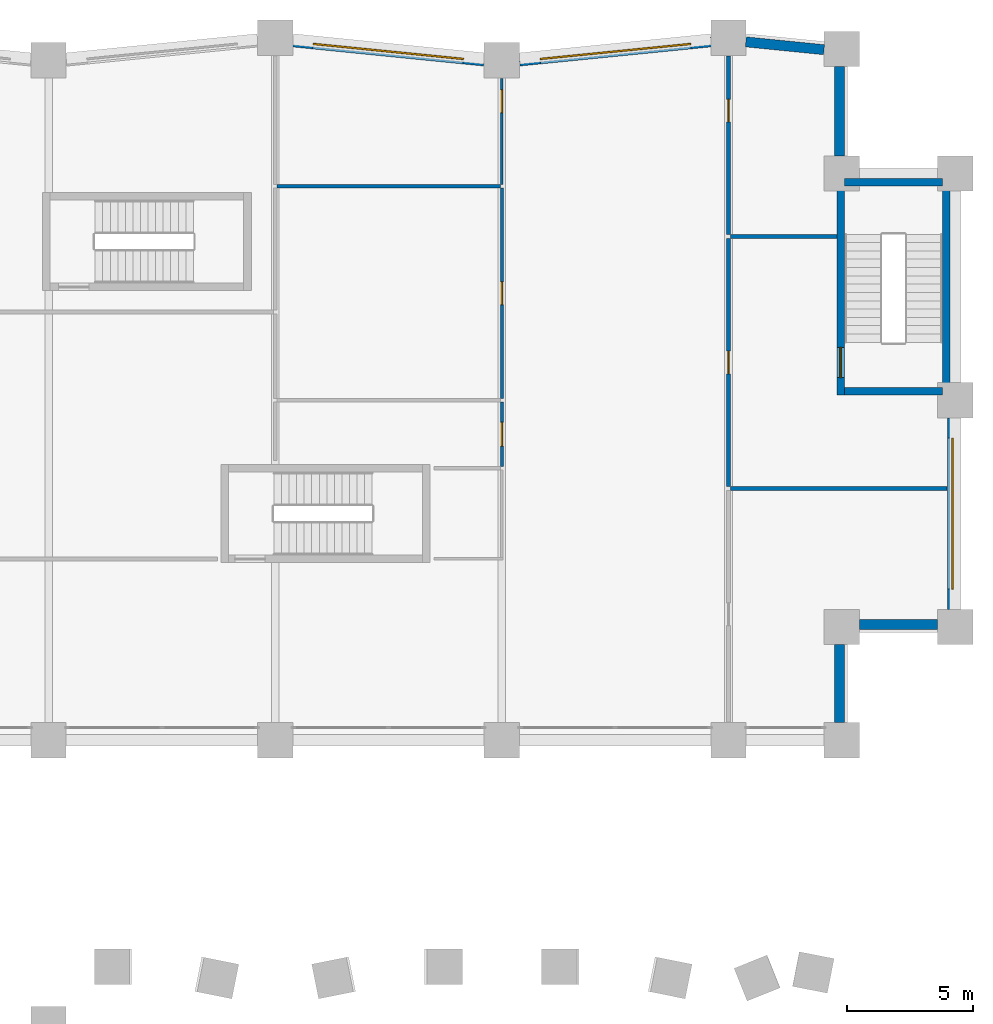
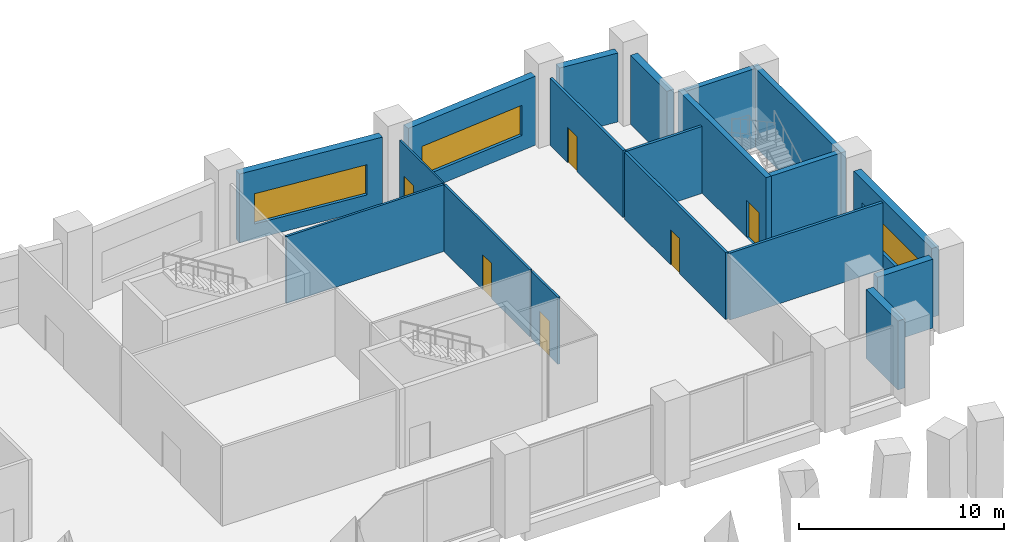
# One storey, part 13 of 17: 19 walls, 6 doors, 3 windows, 9 openings.
"""IFC4 building model written with IfcOpenShell, lengths in metres."""

from ifc_helpers import new_model, si_unit, direction, frame, frame_2d, origin, place, context, subcontext, project, spatial, rectangle, extrude, material, layer, layer_set, type_object, element, fill, save


model = new_model("IFC4")

# Units and contexts
model_context = context("Model", 3, precision=1e-05, world=origin(), true_north=direction((0.0, 1.0)))
body_context = subcontext(model_context, "Body", "Model", "MODEL_VIEW")
ifc_project = project(units=[si_unit("LENGTHUNIT", "METRE"), si_unit("AREAUNIT", "SQUARE_METRE"), si_unit("VOLUMEUNIT", "CUBIC_METRE"), si_unit("PLANEANGLEUNIT", "RADIAN"), si_unit("MASSUNIT", "GRAM", prefix="KILO")], contexts=[model_context])

# Site, building, storey
site_placement = place(None, origin())
site = spatial("IfcSite", under=ifc_project, at=site_placement, CompositionType="ELEMENT")
building_placement = place(site_placement, origin())
building = spatial("IfcBuilding", under=site, at=building_placement, Name="Brondeck Convention Tower", CompositionType="ELEMENT")
storey_placement = place(building_placement, frame((0.0, 0.0, 14.5)))
storey = spatial("IfcBuildingStorey", under=building, at=storey_placement, Name="L02", CompositionType="ELEMENT", Elevation=14.5)

# Walls
ifc_material_1 = material(Name="Limestone", Category="masonry")
ifc_layer_1 = layer(ifc_material_1, 0.10009765625, Name="Limestone facing")
ifc_material_2 = material(Name="Mineral wool")
ifc_layer_2 = layer(ifc_material_2, 0.159912109375, Name="Insulation")
ifc_material_3 = material(Name="Concrete C35/45", Category="concrete")
ifc_layer_3 = layer(ifc_material_3, 0.139892578125, Name="Backing")
ifc_layer_set_1 = layer_set([ifc_layer_1, ifc_layer_2, ifc_layer_3], Name="External wall, limestone cladding")
wall_type_1 = type_object("IfcWallType", Name="External wall, limestone cladding", PredefinedType="SOLIDWALL", material=ifc_layer_set_1)
for number, where, z_axis, x_axis, name in (
    (1, (67.39990234375, 39.800048828125, 0.0), (0.0, 0.0, 1.0), (0.0, -1.0, 0.0), "ENV-EW-L02-BASE-NC-SEA-01"),
    (2, (71.300048828125, 40.60009765625, 0.0), (0.0, 0.0, 1.0), (-1.0, 0.0, 0.0), "ENV-EW-L02-BASE-NC-SEA-02"),
):
    element("IfcWall", number, at=place(storey_placement, frame(where, z_axis=z_axis, x_axis=x_axis)), inside=storey, type_object=wall_type_1, Name=name, PredefinedType="SOLIDWALL", context=body_context, shape_type="SweptSolid", body=[
        extrude(rectangle(XDim=3.10009765625, YDim=0.39990234375, at=frame_2d((1.550048828125, 0.0))), origin(), (0.0, 0.0, 1.0), 4.10009765625),
    ])

# Wall, opening, window
wall_1_placement = place(storey_placement, frame((71.89990234375, 48.800048828125, 0.0), z_axis=(0.0, 0.0, 1.0), x_axis=(0.0, -1.0, 0.0)))
wall_1 = element("IfcWall", 3, at=wall_1_placement, inside=storey, type_object=wall_type_1, Name="ENV-EW-L02-BASE-A-E-02", PredefinedType="SOLIDWALL", context=body_context, shape_type="SweptSolid", body=[
    extrude(rectangle(XDim=7.60009765625, YDim=0.39990234375, at=frame_2d((3.800048828125, 0.0))), origin(), (0.0, 0.0, 1.0), 4.10009765625),
])
opening_1_placement = place(wall_1_placement, frame((0.800048828125, 0.0, 0.89990234375)))
opening_1 = element("IfcOpeningElement", 4, at=opening_1_placement, cuts=wall_1, Name="Opening W4", PredefinedType="OPENING", context=body_context, shape_type="SweptSolid", body=[
    extrude(rectangle(XDim=6.0, YDim=1.800048828125, at=frame_2d((3.0, 0.89990234375))), frame((0.0, 0.2099609375, 0.0), z_axis=(0.0, -1.0, 0.0), x_axis=(1.0, 0.0, 0.0)), (0.0, 0.0, 1.0), 0.419921875),
])
ifc_material_4 = material(Name="Bronze tinted double glazing", Category="glass")
window_type = type_object("IfcWindowType", Name="Podium ribbon window, bronze tinted", PartitioningType="SINGLE_PANEL", PredefinedType="WINDOW", material=ifc_material_4)
window_1_placement = place(opening_1_placement, origin())
window_1 = element("IfcWindow", 5, at=window_1_placement, inside=storey, type_object=window_type, Name="ENV-WN-L02-BASE-A-E-02", OverallHeight=1.800048828125, OverallWidth=6.0, PartitioningType="SINGLE_PANEL", PredefinedType="WINDOW", context=body_context, shape_type="SweptSolid", body=[
    extrude(rectangle(XDim=6.0, YDim=1.800048828125, at=frame_2d((3.0, 0.89990234375))), frame((0.0, 0.030029296875, 0.0), z_axis=(0.0, -1.0, 0.0), x_axis=(1.0, 0.0, 0.0)), (0.0, 0.0, 1.0), 0.06005859375),
])
fill(opening_1, window_1)

# Walls
wall_2_placement = place(storey_placement, frame((67.39990234375, 62.75, 0.0), z_axis=(0.0, 0.0, 1.0), x_axis=(0.0, -1.0, 0.0)))
element("IfcWall", 6, at=wall_2_placement, inside=storey, type_object=wall_type_1, Name="ENV-EW-L02-BASE-NC-NEA-02", PredefinedType="SOLIDWALL", context=body_context, shape_type="SweptSolid", body=[
    extrude(rectangle(XDim=3.550048828125, YDim=0.39990234375, at=frame_2d((1.77490234375, 0.0))), origin(), (0.0, 0.0, 1.0), 4.10009765625),
])
wall_3_placement = place(storey_placement, frame((63.6865234375, 63.730712890625, 0.0), z_axis=(0.0, 0.0, 1.0), x_axis=(0.995041834057, -0.099457269599, 0.0)))
element("IfcWall", 7, at=wall_3_placement, inside=storey, type_object=wall_type_1, Name="ENV-EW-L02-BASE-A-N-14", PredefinedType="SOLIDWALL", context=body_context, shape_type="SweptSolid", body=[
    extrude(rectangle(XDim=3.122314453125, YDim=0.39990234375, at=frame_2d((1.56103515625, 0.0))), origin(), (0.0, 0.0, 1.0), 4.10009765625),
])

# Wall, opening, window
wall_4_placement = place(storey_placement, frame((54.70654296875, 62.97021484375, 0.0), z_axis=(0.0, 0.0, 1.0), x_axis=(0.995039719416, 0.099478423711, 0.0)))
wall_4 = element("IfcWall", 8, at=wall_4_placement, inside=storey, type_object=wall_type_1, Name="ENV-EW-L02-BASE-A-N-13", PredefinedType="SOLIDWALL", context=body_context, shape_type="SweptSolid", body=[
    extrude(rectangle(XDim=7.644775390625, YDim=0.39990234375, at=frame_2d((3.822265625, 0.0))), origin(), (0.0, 0.0, 1.0), 4.10009765625),
])
opening_2_placement = place(wall_4_placement, frame((0.822509765625, 0.0, 0.89990234375)))
opening_2 = element("IfcOpeningElement", 9, at=opening_2_placement, cuts=wall_4, Name="Opening W4", PredefinedType="OPENING", context=body_context, shape_type="SweptSolid", body=[
    extrude(rectangle(XDim=6.0, YDim=1.800048828125, at=frame_2d((3.0, 0.89990234375))), frame((0.0, 0.2099609375, 0.0), z_axis=(0.0, -1.0, 0.0), x_axis=(1.0, 0.0, 0.0)), (0.0, 0.0, 1.0), 0.419921875),
])
window_2_placement = place(opening_2_placement, origin())
window_2 = element("IfcWindow", 10, at=window_2_placement, inside=storey, type_object=window_type, Name="ENV-WN-L02-BASE-A-N-13", OverallHeight=1.800048828125, OverallWidth=6.0, PartitioningType="SINGLE_PANEL", PredefinedType="WINDOW", context=body_context, shape_type="SweptSolid", body=[
    extrude(rectangle(XDim=6.0, YDim=1.800048828125, at=frame_2d((3.0, 0.89990234375))), frame((0.0, 0.030029296875, 0.0), z_axis=(0.0, -1.0, 0.0), x_axis=(1.0, 0.0, 0.0)), (0.0, 0.0, 1.0), 0.06005859375),
])
fill(opening_2, window_2)

wall_5_placement = place(storey_placement, frame((45.6865234375, 63.730712890625, 0.0), z_axis=(0.0, 0.0, 1.0), x_axis=(0.995039719416, -0.099478423711, 0.0)))
wall_5 = element("IfcWall", 11, at=wall_5_placement, inside=storey, type_object=wall_type_1, Name="ENV-EW-L02-BASE-A-N-11", PredefinedType="SOLIDWALL", context=body_context, shape_type="SweptSolid", body=[
    extrude(rectangle(XDim=7.644775390625, YDim=0.39990234375, at=frame_2d((3.822265625, 0.0))), origin(), (0.0, 0.0, 1.0), 4.10009765625),
])
opening_3_placement = place(wall_5_placement, frame((0.822509765625, 0.0, 0.89990234375)))
opening_3 = element("IfcOpeningElement", 12, at=opening_3_placement, cuts=wall_5, Name="Opening W4", PredefinedType="OPENING", context=body_context, shape_type="SweptSolid", body=[
    extrude(rectangle(XDim=6.0, YDim=1.800048828125, at=frame_2d((3.0, 0.89990234375))), frame((0.0, 0.2099609375, 0.0), z_axis=(0.0, -1.0, 0.0), x_axis=(1.0, 0.0, 0.0)), (0.0, 0.0, 1.0), 0.419921875),
])
window_3_placement = place(opening_3_placement, origin())
window_3 = element("IfcWindow", 13, at=window_3_placement, inside=storey, type_object=window_type, Name="ENV-WN-L02-BASE-A-N-11", OverallHeight=1.800048828125, OverallWidth=6.0, PartitioningType="SINGLE_PANEL", PredefinedType="WINDOW", context=body_context, shape_type="SweptSolid", body=[
    extrude(rectangle(XDim=6.0, YDim=1.800048828125, at=frame_2d((3.0, 0.89990234375))), frame((0.0, 0.030029296875, 0.0), z_axis=(0.0, -1.0, 0.0), x_axis=(1.0, 0.0, 0.0)), (0.0, 0.0, 1.0), 0.06005859375),
])
fill(opening_3, window_3)

# Wall
ifc_material_5 = material(Name="Double gypsum board acoustic wall")
ifc_layer_4 = layer(ifc_material_5, 0.14990234375)
ifc_layer_set_2 = layer_set([ifc_layer_4], Name="Guest room party wall 150")
wall_type_2 = type_object("IfcWallType", Name="Guest room party wall 150", PredefinedType="PARTITIONING", material=ifc_layer_set_2)
wall_6_placement = place(storey_placement, frame((63.074951171875, 46.0, 0.0), z_axis=(0.0, 0.0, 1.0), x_axis=(1.0, 0.0, 0.0)))
element("IfcWall", 14, at=wall_6_placement, inside=storey, type_object=wall_type_2, Name="FLR-L02-W014", PredefinedType="PARTITIONING", context=body_context, shape_type="SweptSolid", body=[
    extrude(rectangle(XDim=8.60498046875, YDim=0.14990234375, at=frame_2d((4.302490234375, 0.0))), origin(), (0.0, 0.0, 1.0), 3.97998046875),
])

# Wall, opening, door
wall_7_placement = place(storey_placement, frame((63.0, 55.925048828125, 0.0), z_axis=(0.0, 0.0, 1.0), x_axis=(0.0, -1.0, 0.0)))
wall_7 = element("IfcWall", 15, at=wall_7_placement, inside=storey, type_object=wall_type_2, Name="FLR-L02-W023", PredefinedType="PARTITIONING", context=body_context, shape_type="SweptSolid", body=[
    extrude(rectangle(XDim=9.85009765625, YDim=0.14990234375, at=frame_2d((4.925048828125, 0.0))), origin(), (0.0, 0.0, 1.0), 3.97998046875),
])
opening_4_placement = place(wall_7_placement, frame((4.47509765625, 0.0, 0.0)))
opening_4 = element("IfcOpeningElement", 16, at=opening_4_placement, cuts=wall_7, Name="Opening P-L02-007", PredefinedType="OPENING", context=body_context, shape_type="SweptSolid", body=[
    extrude(rectangle(XDim=0.89990234375, YDim=2.10009765625, at=frame_2d((0.449951171875, 1.050048828125))), frame((0.0, 0.0849609375, 0.0), z_axis=(0.0, -1.0, 0.0), x_axis=(1.0, 0.0, 0.0)), (0.0, 0.0, 1.0), 0.169921875),
])
ifc_material_6 = material(Name="Solid timber door leaf", Category="wood")
door_type_1 = type_object("IfcDoorType", Name="Single door 900", OperationType="NOTDEFINED", PredefinedType="DOOR", material=ifc_material_6)
door_1_placement = place(opening_4_placement, origin())
door_1 = element("IfcDoor", 17, at=door_1_placement, inside=storey, type_object=door_type_1, Name="Door P-L02-007", OperationType="SINGLE_SWING_RIGHT", OverallHeight=2.10009765625, OverallWidth=0.89990234375, PredefinedType="DOOR", context=body_context, shape_type="SweptSolid", body=[
    extrude(rectangle(XDim=0.89990234375, YDim=2.10009765625, at=frame_2d((0.449951171875, 1.050048828125))), frame((0.0, 0.02490234375, 0.0), z_axis=(0.0, -1.0, 0.0), x_axis=(1.0, 0.0, 0.0)), (0.0, 0.0, 1.0), 0.050048828125),
])
fill(opening_4, door_1)

# Wall
wall_8_placement = place(storey_placement, frame((63.074951171875, 56.0, 0.0), z_axis=(0.0, 0.0, 1.0), x_axis=(1.0, 0.0, 0.0)))
element("IfcWall", 18, at=wall_8_placement, inside=storey, type_object=wall_type_2, Name="FLR-L02-W024", PredefinedType="PARTITIONING", context=body_context, shape_type="SweptSolid", body=[
    extrude(rectangle(XDim=4.22509765625, YDim=0.14990234375, at=frame_2d((2.112548828125, 0.0))), origin(), (0.0, 0.0, 1.0), 3.97998046875),
])

# Wall, opening, door
wall_9_placement = place(storey_placement, frame((63.0, 63.179931640625, 0.0), z_axis=(0.0, 0.0, 1.0), x_axis=(0.0, -1.0, 0.0)))
wall_9 = element("IfcWall", 19, at=wall_9_placement, inside=storey, type_object=wall_type_2, Name="FLR-L02-W030", PredefinedType="PARTITIONING", context=body_context, shape_type="SweptSolid", body=[
    extrude(rectangle(XDim=7.10498046875, YDim=0.14990234375, at=frame_2d((3.552490234375, 0.0))), origin(), (0.0, 0.0, 1.0), 3.97998046875),
])
opening_5_placement = place(wall_9_placement, frame((1.72998046875, 0.0, 0.0)))
opening_5 = element("IfcOpeningElement", 20, at=opening_5_placement, cuts=wall_9, Name="Opening P-L02-008", PredefinedType="OPENING", context=body_context, shape_type="SweptSolid", body=[
    extrude(rectangle(XDim=0.89990234375, YDim=2.10009765625, at=frame_2d((0.449951171875, 1.050048828125))), frame((0.0, 0.0849609375, 0.0), z_axis=(0.0, -1.0, 0.0), x_axis=(1.0, 0.0, 0.0)), (0.0, 0.0, 1.0), 0.169921875),
])
door_2_placement = place(opening_5_placement, origin())
door_2 = element("IfcDoor", 21, at=door_2_placement, inside=storey, type_object=door_type_1, Name="Door P-L02-008", OperationType="SINGLE_SWING_LEFT", OverallHeight=2.10009765625, OverallWidth=0.89990234375, PredefinedType="DOOR", context=body_context, shape_type="SweptSolid", body=[
    extrude(rectangle(XDim=0.89990234375, YDim=2.10009765625, at=frame_2d((0.449951171875, 1.050048828125))), frame((0.0, 0.02490234375, 0.0), z_axis=(0.0, -1.0, 0.0), x_axis=(1.0, 0.0, 0.0)), (0.0, 0.0, 1.0), 0.050048828125),
])
fill(opening_5, door_2)

ifc_material_7 = material(Name="Gypsum board shaft wall on steel studs", Category="steel")
ifc_layer_5 = layer(ifc_material_7, 0.125)
ifc_layer_set_3 = layer_set([ifc_layer_5], Name="Riser wall 125")
wall_type_3 = type_object("IfcWallType", Name="Riser wall 125", PredefinedType="PARTITIONING", material=ifc_layer_set_3)
wall_10_placement = place(storey_placement, frame((54.0, 46.862548828125, 0.0), z_axis=(0.0, 0.0, 1.0), x_axis=(0.0, 1.0, 0.0)))
wall_10 = element("IfcWall", 22, at=wall_10_placement, inside=storey, type_object=wall_type_3, Name="FLR-L02-W016", PredefinedType="PARTITIONING", context=body_context, shape_type="SweptSolid", body=[
    extrude(rectangle(XDim=2.574951171875, YDim=0.125, at=frame_2d((1.28759765625, 0.0))), origin(), (0.0, 0.0, 1.0), 3.97998046875),
])
opening_6_placement = place(wall_10_placement, frame((0.8125, 0.0, 0.0)))
opening_6 = element("IfcOpeningElement", 23, at=opening_6_placement, cuts=wall_10, Name="Opening P-L02-003", PredefinedType="OPENING", context=body_context, shape_type="SweptSolid", body=[
    extrude(rectangle(XDim=0.949951171875, YDim=2.10009765625, at=frame_2d((0.47509765625, 1.050048828125))), frame((0.0, 0.072509765625, 0.0), z_axis=(0.0, -1.0, 0.0), x_axis=(1.0, 0.0, 0.0)), (0.0, 0.0, 1.0), 0.14501953125),
])
door_type_2 = type_object("IfcDoorType", Name="Accessible door 950", OperationType="NOTDEFINED", PredefinedType="DOOR", material=ifc_material_6)
door_3_placement = place(opening_6_placement, origin())
door_3 = element("IfcDoor", 24, at=door_3_placement, inside=storey, type_object=door_type_2, Name="Door P-L02-003", OperationType="SINGLE_SWING_RIGHT", OverallHeight=2.10009765625, OverallWidth=0.949951171875, PredefinedType="DOOR", context=body_context, shape_type="SweptSolid", body=[
    extrude(rectangle(XDim=0.949951171875, YDim=2.10009765625, at=frame_2d((0.47509765625, 1.050048828125))), frame((0.0, 0.02490234375, 0.0), z_axis=(0.0, -1.0, 0.0), x_axis=(1.0, 0.0, 0.0)), (0.0, 0.0, 1.0), 0.050048828125),
])
fill(opening_6, door_3)

wall_11_placement = place(storey_placement, frame((54.0, 49.5625, 0.0), z_axis=(0.0, 0.0, 1.0), x_axis=(0.0, 1.0, 0.0)))
wall_11 = element("IfcWall", 25, at=wall_11_placement, inside=storey, type_object=wall_type_3, Name="FLR-L02-W019", PredefinedType="PARTITIONING", context=body_context, shape_type="SweptSolid", body=[
    extrude(rectangle(XDim=8.375, YDim=0.125, at=frame_2d((4.1875, 0.0))), origin(), (0.0, 0.0, 1.0), 3.97998046875),
])
opening_7_placement = place(wall_11_placement, frame((3.737548828125, 0.0, 0.0)))
opening_7 = element("IfcOpeningElement", 26, at=opening_7_placement, cuts=wall_11, Name="Opening P-L02-004", PredefinedType="OPENING", context=body_context, shape_type="SweptSolid", body=[
    extrude(rectangle(XDim=0.89990234375, YDim=2.10009765625, at=frame_2d((0.449951171875, 1.050048828125))), frame((0.0, 0.072509765625, 0.0), z_axis=(0.0, -1.0, 0.0), x_axis=(1.0, 0.0, 0.0)), (0.0, 0.0, 1.0), 0.14501953125),
])
door_4_placement = place(opening_7_placement, origin())
door_4 = element("IfcDoor", 27, at=door_4_placement, inside=storey, type_object=door_type_1, Name="Door P-L02-004", OperationType="SINGLE_SWING_RIGHT", OverallHeight=2.10009765625, OverallWidth=0.89990234375, PredefinedType="DOOR", context=body_context, shape_type="SweptSolid", body=[
    extrude(rectangle(XDim=0.89990234375, YDim=2.10009765625, at=frame_2d((0.449951171875, 1.050048828125))), frame((0.0, 0.02490234375, 0.0), z_axis=(0.0, -1.0, 0.0), x_axis=(1.0, 0.0, 0.0)), (0.0, 0.0, 1.0), 0.050048828125),
])
fill(opening_7, door_4)

# Wall
wall_12_placement = place(storey_placement, frame((45.074951171875, 58.0, 0.0), z_axis=(0.0, 0.0, 1.0), x_axis=(1.0, 0.0, 0.0)))
element("IfcWall", 28, at=wall_12_placement, inside=storey, type_object=wall_type_3, Name="FLR-L02-W026", PredefinedType="PARTITIONING", context=body_context, shape_type="SweptSolid", body=[
    extrude(rectangle(XDim=8.862548828125, YDim=0.125, at=frame_2d((4.43115234375, 0.0))), origin(), (0.0, 0.0, 1.0), 3.97998046875),
])

# Wall, opening, door
ifc_material_8 = material(Name="Gypsum board partition on steel studs", Category="steel")
ifc_layer_6 = layer(ifc_material_8, 0.10009765625)
ifc_layer_set_4 = layer_set([ifc_layer_6], Name="Room partition 100")
wall_type_4 = type_object("IfcWallType", Name="Room partition 100", PredefinedType="PARTITIONING", material=ifc_layer_set_4)
wall_13_placement = place(storey_placement, frame((54.0, 58.0625, 0.0), z_axis=(0.0, 0.0, 1.0), x_axis=(0.0, 1.0, 0.0)))
wall_13 = element("IfcWall", 29, at=wall_13_placement, inside=storey, type_object=wall_type_4, Name="FLR-L02-W027", PredefinedType="PARTITIONING", context=body_context, shape_type="SweptSolid", body=[
    extrude(rectangle(XDim=4.217529296875, YDim=0.10009765625, at=frame_2d((2.10888671875, 0.0))), origin(), (0.0, 0.0, 1.0), 3.97998046875),
])
opening_8_placement = place(wall_13_placement, frame((2.862548828125, 0.0, 0.0)))
opening_8 = element("IfcOpeningElement", 30, at=opening_8_placement, cuts=wall_13, Name="Opening P-L02-005", PredefinedType="OPENING", context=body_context, shape_type="SweptSolid", body=[
    extrude(rectangle(XDim=0.89990234375, YDim=2.10009765625, at=frame_2d((0.449951171875, 1.050048828125))), frame((0.0, 0.06005859375, 0.0), z_axis=(0.0, -1.0, 0.0), x_axis=(1.0, 0.0, 0.0)), (0.0, 0.0, 1.0), 0.1201171875),
])
door_5_placement = place(opening_8_placement, origin())
door_5 = element("IfcDoor", 31, at=door_5_placement, inside=storey, type_object=door_type_1, Name="Door P-L02-005", OperationType="SINGLE_SWING_RIGHT", OverallHeight=2.10009765625, OverallWidth=0.89990234375, PredefinedType="DOOR", context=body_context, shape_type="SweptSolid", body=[
    extrude(rectangle(XDim=0.89990234375, YDim=2.10009765625, at=frame_2d((0.449951171875, 1.050048828125))), frame((0.0, 0.02490234375, 0.0), z_axis=(0.0, -1.0, 0.0), x_axis=(1.0, 0.0, 0.0)), (0.0, 0.0, 1.0), 0.050048828125),
])
fill(opening_8, door_5)

# Walls
ifc_material_9 = material(Name="Concrete C80/95", Category="concrete")
ifc_layer_7 = layer(ifc_material_9, 0.300048828125)
ifc_layer_set_5 = layer_set([ifc_layer_7], Name="Stair enclosure wall 300 Concrete C80/95")
wall_type_5 = type_object("IfcWallType", Name="Stair enclosure wall 300 Concrete C80/95", PredefinedType="SHEAR", material=ifc_layer_set_5)
for number, where, z_axis, x_axis, name in (
    (32, (67.60009765625, 49.85009765625, 0.0), (0.0, 0.0, 1.0), (1.0, 0.0, 0.0), "L02 core wall"),
    (33, (67.60009765625, 58.14990234375, 0.0), (0.0, 0.0, 1.0), (1.0, 0.0, 0.0), "L02 core wall"),
):
    element("IfcWall", number, at=place(storey_placement, frame(where, z_axis=z_axis, x_axis=x_axis)), inside=storey, type_object=wall_type_5, Name=name, PredefinedType="SHEAR", context=body_context, shape_type="SweptSolid", body=[
        extrude(rectangle(XDim=3.89990234375, YDim=0.300048828125, at=frame_2d((1.949951171875, 0.0))), origin(), (0.0, 0.0, 1.0), 4.699951171875),
    ])

# Wall, opening, door
wall_14_placement = place(storey_placement, frame((67.449951171875, 49.699951171875, 0.0), z_axis=(0.0, 0.0, 1.0), x_axis=(0.0, 1.0, 0.0)))
wall_14 = element("IfcWall", 34, at=wall_14_placement, inside=storey, type_object=wall_type_5, Name="L02 core wall", PredefinedType="SHEAR", context=body_context, shape_type="SweptSolid", body=[
    extrude(rectangle(XDim=8.60009765625, YDim=0.300048828125, at=frame_2d((4.300048828125, 0.0))), origin(), (0.0, 0.0, 1.0), 4.699951171875),
])
opening_9_placement = place(wall_14_placement, frame((0.699951171875, 0.0, 0.0)))
opening_9 = element("IfcOpeningElement", 35, at=opening_9_placement, cuts=wall_14, Name="Opening C04-13", PredefinedType="OPENING", context=body_context, shape_type="SweptSolid", body=[
    extrude(rectangle(XDim=1.199951171875, YDim=2.199951171875, at=frame_2d((0.60009765625, 1.10009765625))), frame((0.0, 0.159912109375, 0.0), z_axis=(0.0, -1.0, 0.0), x_axis=(1.0, 0.0, 0.0)), (0.0, 0.0, 1.0), 0.320068359375),
])
ifc_material_10 = material(Name="Steel fire door", Category="steel")
door_type_3 = type_object("IfcDoorType", Name="Stair door 1200x2200 EI 90", OperationType="NOTDEFINED", PredefinedType="DOOR", material=ifc_material_10)
door_6_placement = place(opening_9_placement, origin())
door_6 = element("IfcDoor", 36, at=door_6_placement, inside=storey, type_object=door_type_3, Name="L02 Stair door PS-1", OperationType="SINGLE_SWING_RIGHT", OverallHeight=2.199951171875, OverallWidth=1.199951171875, PredefinedType="DOOR", context=body_context, shape_type="SweptSolid", body=[
    extrude(rectangle(XDim=1.199951171875, YDim=2.199951171875, at=frame_2d((0.60009765625, 1.10009765625))), frame((0.0, 0.02490234375, 0.0), z_axis=(0.0, -1.0, 0.0), x_axis=(1.0, 0.0, 0.0)), (0.0, 0.0, 1.0), 0.050048828125),
])
fill(opening_9, door_6)

# Wall
wall_15_placement = place(storey_placement, frame((71.64990234375, 49.699951171875, 0.0), z_axis=(0.0, 0.0, 1.0), x_axis=(0.0, 1.0, 0.0)))
element("IfcWall", 37, at=wall_15_placement, inside=storey, type_object=wall_type_5, Name="L02 core wall", PredefinedType="SHEAR", context=body_context, shape_type="SweptSolid", body=[
    extrude(rectangle(XDim=8.60009765625, YDim=0.300048828125, at=frame_2d((4.300048828125, 0.0))), origin(), (0.0, 0.0, 1.0), 4.699951171875),
])

save(model, "model.ifc")
